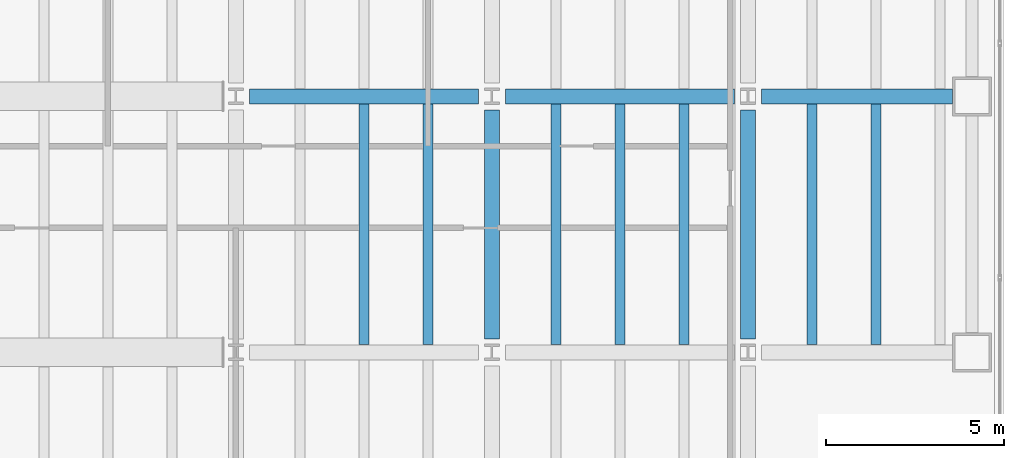
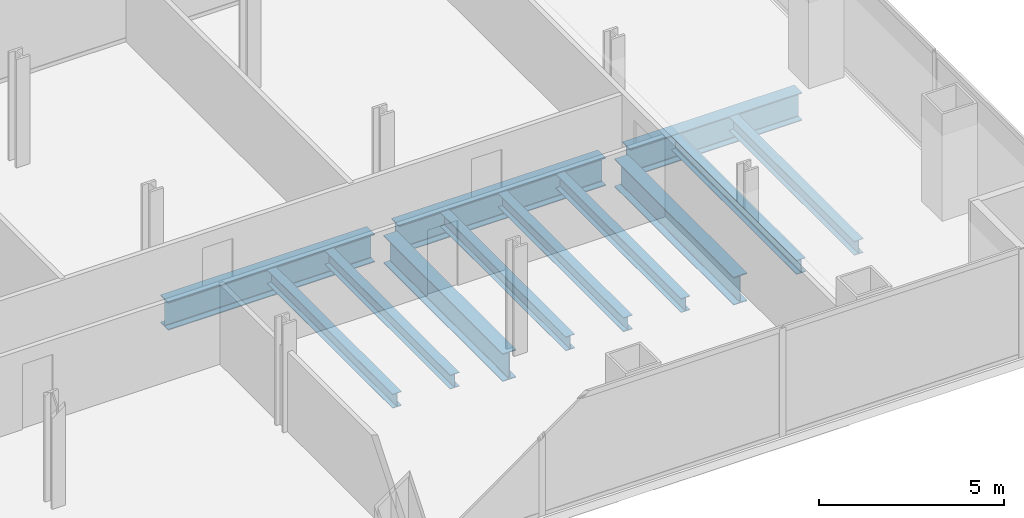
# One storey, part 9 of 24: 12 beams.
"""IFC4 building model written with IfcOpenShell, lengths in metres."""

from ifc_helpers import new_model, si_unit, direction, frame, origin, origin_2d, place, context, subcontext, project, spatial, i_section, extrude, material, material_profile, profile_set, type_object, element, save


model = new_model("IFC4")

# Units and contexts
model_context = context("Model", 3, precision=1e-05, world=origin(), true_north=direction((0.0, 1.0)))
body_context = subcontext(model_context, "Body", "Model", "MODEL_VIEW")
ifc_project = project(units=[si_unit("LENGTHUNIT", "METRE"), si_unit("AREAUNIT", "SQUARE_METRE"), si_unit("VOLUMEUNIT", "CUBIC_METRE"), si_unit("PLANEANGLEUNIT", "RADIAN"), si_unit("MASSUNIT", "GRAM", prefix="KILO")], contexts=[model_context])

# Site, building, storey
site_placement = place(None, origin())
site = spatial("IfcSite", under=ifc_project, at=site_placement, CompositionType="ELEMENT")
building_placement = place(site_placement, origin())
building = spatial("IfcBuilding", under=site, at=building_placement, Name="Cobrela Telecom Tower", CompositionType="ELEMENT")
storey_placement = place(building_placement, frame((0.0, 0.0, 31.14990234375)))
storey = spatial("IfcBuildingStorey", under=building, at=storey_placement, Name="L07", CompositionType="ELEMENT", Elevation=31.14990234375)

# Beams
ifc_material = material(Name="Steel ASTM A992 Grade 50", Category="steel")
ifc_material_profile_1 = material_profile(ifc_material, i_section(OverallWidth=0.4189453125, OverallDepth=0.927001953125, WebThickness=0.019287109375, FlangeThickness=0.031982421875, FilletRadius=0.02392578125, at=origin_2d()), Name="W36X231")
ifc_profile_set_1 = profile_set([ifc_material_profile_1], Name="Steel ASTM A992 Grade 50")
beam_type_1 = type_object("IfcBeamType", Name="BM-GIRD-02", PredefinedType="USERDEFINED", material=ifc_profile_set_1)
for number, where, z_axis, x_axis, name in (
    (1, (29.179931640625, 14.39990234375, -0.743408203125), (1.0, 0.0, 0.0), (0.0, 1.0, 0.0), "L07 Primary Girder X09"),
    (2, (36.3798828125, 14.39990234375, -0.743408203125), (1.0, 0.0, 0.0), (0.0, 1.0, 0.0), "L07 Primary Girder X10"),
):
    element("IfcBeam", number, at=place(storey_placement, frame(where, z_axis=z_axis, x_axis=x_axis)), inside=storey, type_object=beam_type_1, Name=name, ObjectType="GIRDER", PredefinedType="USERDEFINED", context=body_context, shape_type="SweptSolid", body=[
        extrude(i_section(OverallWidth=0.4189453125, OverallDepth=0.927001953125, WebThickness=0.019287109375, FlangeThickness=0.031982421875, FilletRadius=0.02392578125, at=origin_2d()), origin(), (0.0, 0.0, 1.0), 6.440185546875),
    ])
beam_placement = place(storey_placement, frame((43.580078125, 14.39990234375, -0.743408203125), z_axis=(1.0, 0.0, 0.0), x_axis=(0.0, 1.0, 0.0)))
element("IfcBeam", 3, at=beam_placement, inside=storey, type_object=beam_type_1, Name="L07 Primary Girder X11", ObjectType="GIRDER", PredefinedType="USERDEFINED", context=body_context, shape_type="SweptSolid", body=[
    extrude(i_section(OverallWidth=0.4189453125, OverallDepth=0.927001953125, WebThickness=0.019287109375, FlangeThickness=0.031982421875, FilletRadius=0.02392578125, at=origin_2d()), origin(), (0.0, 0.0, 1.0), 5.364990234375),
])
for number, where, z_axis, x_axis, name in (
    (4, (36.0, 7.580078125, -0.743408203125), (0.0, 1.0, 0.0), (-1.0, 0.0, 0.0), "L07 Primary Girder Y31"),
    (5, (43.199951171875, 7.580078125, -0.743408203125), (0.0, 1.0, 0.0), (-1.0, 0.0, 0.0), "L07 Primary Girder Y34"),
):
    element("IfcBeam", number, at=place(storey_placement, frame(where, z_axis=z_axis, x_axis=x_axis)), inside=storey, type_object=beam_type_1, Name=name, ObjectType="GIRDER", PredefinedType="USERDEFINED", context=body_context, shape_type="SweptSolid", body=[
        extrude(i_section(OverallWidth=0.4189453125, OverallDepth=0.927001953125, WebThickness=0.019287109375, FlangeThickness=0.031982421875, FilletRadius=0.02392578125, at=origin_2d()), origin(), (0.0, 0.0, 1.0), 6.43994140625),
    ])
ifc_material_profile_2 = material_profile(ifc_material, i_section(OverallWidth=0.281982421875, OverallDepth=0.467041015625, WebThickness=0.01220703125, FlangeThickness=0.01953125, FilletRadius=0.012939453125, at=origin_2d()), Name="W18X86")
ifc_profile_set_2 = profile_set([ifc_material_profile_2], Name="Steel ASTM A992 Grade 50")
beam_type_2 = type_object("IfcBeamType", Name="BM-JOIST-02", PredefinedType="JOIST", material=ifc_profile_set_2)
for number, where, z_axis, x_axis, name in (
    (6, (32.39990234375, 7.41455078125, -0.513427734375), (0.0, 1.0, 0.0), (-1.0, 0.0, 0.0), "L07 Secondary Composite Floor Beam J45"),
    (7, (34.199951171875, 7.41455078125, -0.513427734375), (0.0, 1.0, 0.0), (-1.0, 0.0, 0.0), "L07 Secondary Composite Floor Beam J48"),
    (8, (37.800048828125, 7.41455078125, -0.513427734375), (0.0, 1.0, 0.0), (-1.0, 0.0, 0.0), "L07 Secondary Composite Floor Beam J51"),
    (9, (39.60009765625, 7.41455078125, -0.513427734375), (0.0, 1.0, 0.0), (-1.0, 0.0, 0.0), "L07 Secondary Composite Floor Beam J54"),
    (10, (41.39990234375, 7.41455078125, -0.513427734375), (0.0, 1.0, 0.0), (-1.0, 0.0, 0.0), "L07 Secondary Composite Floor Beam J57"),
    (11, (45.0, 7.41455078125, -0.513427734375), (0.0, 1.0, 0.0), (-1.0, 0.0, 0.0), "L07 Secondary Composite Floor Beam J59"),
    (12, (46.800048828125, 7.41455078125, -0.513427734375), (0.0, 1.0, 0.0), (-1.0, 0.0, 0.0), "L07 Secondary Composite Floor Beam J61"),
):
    element("IfcBeam", number, at=place(storey_placement, frame(where, z_axis=z_axis, x_axis=x_axis)), inside=storey, type_object=beam_type_2, Name=name, PredefinedType="JOIST", context=body_context, shape_type="SweptSolid", body=[
        extrude(i_section(OverallWidth=0.281982421875, OverallDepth=0.467041015625, WebThickness=0.01220703125, FlangeThickness=0.01953125, FilletRadius=0.012939453125, at=origin_2d()), origin(), (0.0, 0.0, 1.0), 6.77099609375),
    ])

save(model, "model.ifc")
